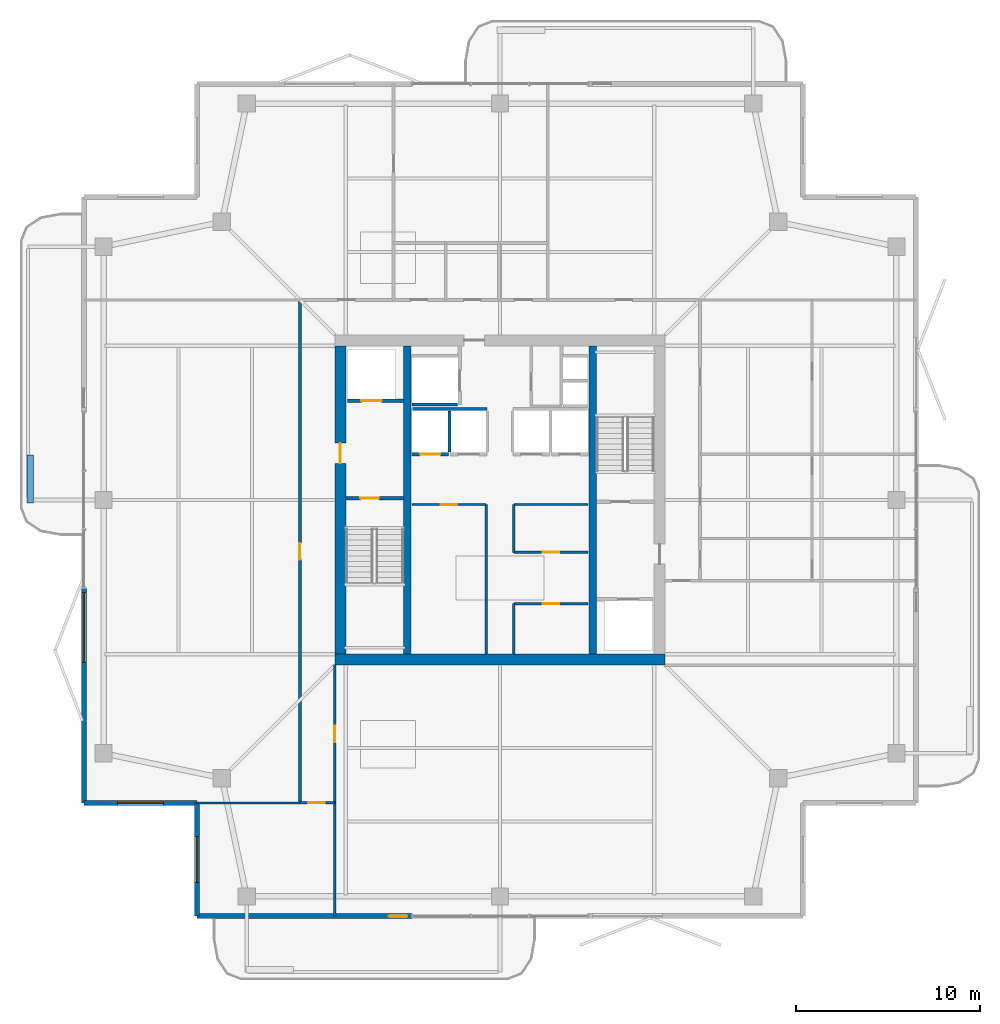
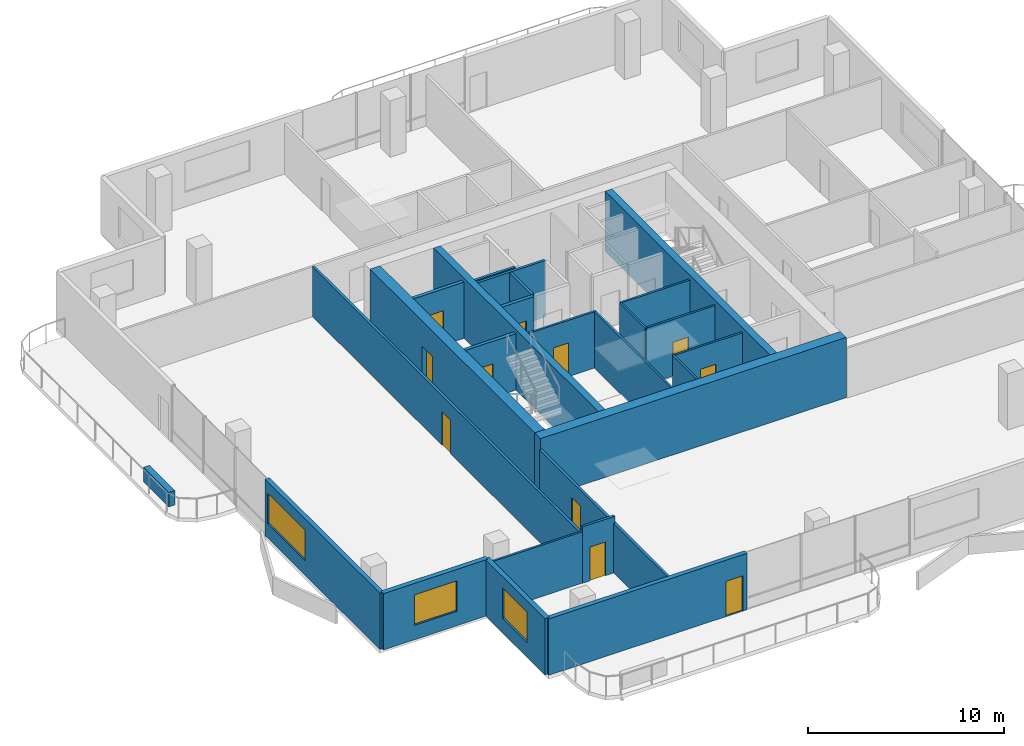
# One storey, part 12 of 17: 26 walls, 11 doors, 3 windows, 14 openings.
"""IFC4 building model written with IfcOpenShell, lengths in metres."""

from ifc_helpers import new_model, si_unit, direction, frame, frame_2d, origin, place, context, subcontext, project, spatial, rectangle, extrude, material, layer, layer_set, type_object, element, fill, save


model = new_model("IFC4")

# Units and contexts
model_context = context("Model", 3, precision=1e-05, world=origin(), true_north=direction((0.0, 1.0)))
body_context = subcontext(model_context, "Body", "Model", "MODEL_VIEW")
ifc_project = project(units=[si_unit("LENGTHUNIT", "METRE"), si_unit("AREAUNIT", "SQUARE_METRE"), si_unit("VOLUMEUNIT", "CUBIC_METRE"), si_unit("PLANEANGLEUNIT", "RADIAN"), si_unit("MASSUNIT", "GRAM", prefix="KILO")], contexts=[model_context])

# Site, building, storey
site_placement = place(None, origin())
site = spatial("IfcSite", under=ifc_project, at=site_placement, CompositionType="ELEMENT")
building_placement = place(site_placement, origin())
building = spatial("IfcBuilding", under=site, at=building_placement, Name="Belovzor Exchange Tower", CompositionType="ELEMENT")
storey_placement = place(building_placement, frame((0.0, 0.0, 303.0)))
storey = spatial("IfcBuildingStorey", under=building, at=storey_placement, Name="L75", CompositionType="ELEMENT", Elevation=303.0)

# Wall
ifc_material_1 = material(Name="Acoustic Plasterboard on Galvanised Studs", Category="gypsum")
ifc_layer_1 = layer(ifc_material_1, 0.1201171875)
ifc_layer_set_1 = layer_set([ifc_layer_1], Name="Acoustic Plasterboard on Galvanised Studs")
wall_type_1 = type_object("IfcWallType", Name="Acoustic Double-Stud Partition Wall 120", PredefinedType="PARTITIONING", material=ifc_layer_set_1)
wall_1_placement = place(storey_placement, frame((12.300048828125, 12.300048828125, 0.0), z_axis=(0.0, 0.0, 1.0), x_axis=(1.0, 0.0, 0.0)))
element("IfcWall", 1, at=wall_1_placement, inside=storey, type_object=wall_type_1, Name="W-P120 Partition Wall W-L75-SWS", PredefinedType="PARTITIONING", context=body_context, shape_type="SweptSolid", body=[
    extrude(rectangle(XDim=5.599853515625, YDim=0.1201171875, at=frame_2d((2.7998046875, 0.0))), origin(), (0.0, 0.0, 1.0), 3.195068359375),
])

# Wall, opening, door
ifc_material_2 = material(Name="Fire-Rated Plasterboard on Galvanised Studs", Category="gypsum")
ifc_layer_2 = layer(ifc_material_2, 0.1201171875)
ifc_layer_set_2 = layer_set([ifc_layer_2], Name="Fire-Rated Plasterboard on Galvanised Studs")
wall_type_2 = type_object("IfcWallType", Name="Fire-Rated Double-Stud Partition Wall 120", PredefinedType="PARTITIONING", material=ifc_layer_set_2)
wall_2_placement = place(storey_placement, frame((24.0, 28.550048828125, 0.0), z_axis=(0.0, 0.0, 1.0), x_axis=(1.0, 0.0, 0.0)))
wall_2 = element("IfcWall", 2, at=wall_2_placement, inside=storey, type_object=wall_type_2, Name="W-P120F Partition Wall W-CRWB-L75-N", PredefinedType="PARTITIONING", context=body_context, shape_type="SweptSolid", body=[
    extrude(rectangle(XDim=4.050048828125, YDim=0.1201171875, at=frame_2d((2.02490234375, 0.0))), origin(), (0.0, 0.0, 1.0), 3.510009765625),
])
opening_1_placement = place(wall_2_placement, frame((1.574951171875, 0.0, 0.0)))
opening_1 = element("IfcOpeningElement", 3, at=opening_1_placement, cuts=wall_2, Name="Opening D-FD60-090", PredefinedType="OPENING", context=body_context, shape_type="SweptSolid", body=[
    extrude(rectangle(XDim=0.89990234375, YDim=2.10009765625, at=frame_2d((0.449951171875, 1.050048828125))), frame((0.0, 0.070068359375, 0.0), z_axis=(0.0, -1.0, 0.0), x_axis=(1.0, 0.0, 0.0)), (0.0, 0.0, 1.0), 0.14013671875),
])
ifc_material_3 = material(Name="Acoustic Timber Fire Leaf", Category="wood")
door_type_1 = type_object("IfcDoorType", Name="Core Service & Restroom Fire Door 900x2100", OperationType="NOTDEFINED", PredefinedType="DOOR", material=ifc_material_3)
door_1_placement = place(opening_1_placement, origin())
door_1 = element("IfcDoor", 4, at=door_1_placement, inside=storey, type_object=door_type_1, Name="D-FD60-090 Core Service & Restroom Fire Door 900x2100", OperationType="SINGLE_SWING_LEFT", OverallHeight=2.10009765625, OverallWidth=0.89990234375, PredefinedType="DOOR", context=body_context, shape_type="SweptSolid", body=[
    extrude(rectangle(XDim=0.89990234375, YDim=2.10009765625, at=frame_2d((0.449951171875, 1.050048828125))), frame((0.0, 0.02490234375, 0.0), z_axis=(0.0, -1.0, 0.0), x_axis=(1.0, 0.0, 0.0)), (0.0, 0.0, 1.0), 0.050048828125),
])
fill(opening_1, door_1)

# Wall
wall_3_placement = place(storey_placement, frame((28.050048828125, 20.39990234375, 0.0), z_axis=(0.0, 0.0, 1.0), x_axis=(0.0, 1.0, 0.0)))
element("IfcWall", 5, at=wall_3_placement, inside=storey, type_object=wall_type_2, Name="W-P120F Partition Wall W-CRWB-L75-E", PredefinedType="PARTITIONING", context=body_context, shape_type="SweptSolid", body=[
    extrude(rectangle(XDim=8.150146484375, YDim=0.1201171875, at=frame_2d((4.0751953125, 0.0))), origin(), (0.0, 0.0, 1.0), 3.510009765625),
])

# Wall, opening, door
wall_4_placement = place(storey_placement, frame((29.550048828125, 23.14990234375, 0.0), z_axis=(0.0, 0.0, 1.0), x_axis=(1.0, 0.0, 0.0)))
wall_4 = element("IfcWall", 6, at=wall_4_placement, inside=storey, type_object=wall_type_2, Name="W-P120F Partition Wall W-CRL-L75-EN", PredefinedType="PARTITIONING", context=body_context, shape_type="SweptSolid", body=[
    extrude(rectangle(XDim=4.050048828125, YDim=0.1201171875, at=frame_2d((2.02490234375, 0.0))), origin(), (0.0, 0.0, 1.0), 3.510009765625),
])
opening_2_placement = place(wall_4_placement, frame((1.574951171875, 0.0, 0.0)))
opening_2 = element("IfcOpeningElement", 7, at=opening_2_placement, cuts=wall_4, Name="Opening D-FD60-090", PredefinedType="OPENING", context=body_context, shape_type="SweptSolid", body=[
    extrude(rectangle(XDim=0.89990234375, YDim=2.10009765625, at=frame_2d((0.449951171875, 1.050048828125))), frame((0.0, 0.070068359375, 0.0), z_axis=(0.0, -1.0, 0.0), x_axis=(1.0, 0.0, 0.0)), (0.0, 0.0, 1.0), 0.14013671875),
])
door_2_placement = place(opening_2_placement, origin())
door_2 = element("IfcDoor", 8, at=door_2_placement, inside=storey, type_object=door_type_1, Name="D-FD60-090 Core Service & Restroom Fire Door 900x2100", OperationType="SINGLE_SWING_RIGHT", OverallHeight=2.10009765625, OverallWidth=0.89990234375, PredefinedType="DOOR", context=body_context, shape_type="SweptSolid", body=[
    extrude(rectangle(XDim=0.89990234375, YDim=2.10009765625, at=frame_2d((0.449951171875, 1.050048828125))), frame((0.0, 0.02490234375, 0.0), z_axis=(0.0, -1.0, 0.0), x_axis=(1.0, 0.0, 0.0)), (0.0, 0.0, 1.0), 0.050048828125),
])
fill(opening_2, door_2)

# Wall
wall_5_placement = place(storey_placement, frame((29.550048828125, 20.39990234375, 0.0), z_axis=(0.0, 0.0, 1.0), x_axis=(0.0, 1.0, 0.0)))
element("IfcWall", 9, at=wall_5_placement, inside=storey, type_object=wall_type_2, Name="W-P120F Partition Wall W-CRL-L75-EW", PredefinedType="PARTITIONING", context=body_context, shape_type="SweptSolid", body=[
    extrude(rectangle(XDim=2.75, YDim=0.1201171875, at=frame_2d((1.375, 0.0))), origin(), (0.0, 0.0, 1.0), 3.510009765625),
])

# Wall, opening, door
wall_6_placement = place(storey_placement, frame((29.550048828125, 25.949951171875, 0.0), z_axis=(0.0, 0.0, 1.0), x_axis=(1.0, 0.0, 0.0)))
wall_6 = element("IfcWall", 10, at=wall_6_placement, inside=storey, type_object=wall_type_2, Name="W-P120F Partition Wall W-CRM-L75-ES", PredefinedType="PARTITIONING", context=body_context, shape_type="SweptSolid", body=[
    extrude(rectangle(XDim=4.050048828125, YDim=0.1201171875, at=frame_2d((2.02490234375, 0.0))), origin(), (0.0, 0.0, 1.0), 3.510009765625),
])
opening_3_placement = place(wall_6_placement, frame((1.574951171875, 0.0, 0.0)))
opening_3 = element("IfcOpeningElement", 11, at=opening_3_placement, cuts=wall_6, Name="Opening D-FD60-090", PredefinedType="OPENING", context=body_context, shape_type="SweptSolid", body=[
    extrude(rectangle(XDim=0.89990234375, YDim=2.10009765625, at=frame_2d((0.449951171875, 1.050048828125))), frame((0.0, 0.070068359375, 0.0), z_axis=(0.0, -1.0, 0.0), x_axis=(1.0, 0.0, 0.0)), (0.0, 0.0, 1.0), 0.14013671875),
])
door_3_placement = place(opening_3_placement, origin())
door_3 = element("IfcDoor", 12, at=door_3_placement, inside=storey, type_object=door_type_1, Name="D-FD60-090 Core Service & Restroom Fire Door 900x2100", OperationType="SINGLE_SWING_RIGHT", OverallHeight=2.10009765625, OverallWidth=0.89990234375, PredefinedType="DOOR", context=body_context, shape_type="SweptSolid", body=[
    extrude(rectangle(XDim=0.89990234375, YDim=2.10009765625, at=frame_2d((0.449951171875, 1.050048828125))), frame((0.0, 0.02490234375, 0.0), z_axis=(0.0, -1.0, 0.0), x_axis=(1.0, 0.0, 0.0)), (0.0, 0.0, 1.0), 0.050048828125),
])
fill(opening_3, door_3)

# Walls
wall_7_placement = place(storey_placement, frame((29.550048828125, 28.550048828125, 0.0), z_axis=(0.0, 0.0, 1.0), x_axis=(1.0, 0.0, 0.0)))
element("IfcWall", 13, at=wall_7_placement, inside=storey, type_object=wall_type_2, Name="W-P120F Partition Wall W-CRM-L75-EN", PredefinedType="PARTITIONING", context=body_context, shape_type="SweptSolid", body=[
    extrude(rectangle(XDim=4.050048828125, YDim=0.1201171875, at=frame_2d((2.02490234375, 0.0))), origin(), (0.0, 0.0, 1.0), 3.510009765625),
])
wall_8_placement = place(storey_placement, frame((29.550048828125, 25.949951171875, 0.0), z_axis=(0.0, 0.0, 1.0), x_axis=(0.0, 1.0, 0.0)))
element("IfcWall", 14, at=wall_8_placement, inside=storey, type_object=wall_type_2, Name="W-P120F Partition Wall W-CRM-L75-EW", PredefinedType="PARTITIONING", context=body_context, shape_type="SweptSolid", body=[
    extrude(rectangle(XDim=2.60009765625, YDim=0.1201171875, at=frame_2d((1.300048828125, 0.0))), origin(), (0.0, 0.0, 1.0), 3.510009765625),
])

# Wall, opening, door
ifc_material_4 = material(Name="Fire-Rated Gypsum Block and Mineral Wool", Category="gypsum")
ifc_layer_3 = layer(ifc_material_4, 0.14990234375)
ifc_layer_set_3 = layer_set([ifc_layer_3], Name="Fire-Rated Gypsum Block and Mineral Wool")
wall_type_3 = type_object("IfcWallType", Name="Fire-Rated Gypsum Block Corridor Wall 150", PredefinedType="PARTITIONING", material=ifc_layer_set_3)
wall_9_placement = place(storey_placement, frame((17.89990234375, 12.300048828125, 0.0), z_axis=(0.0, 0.0, 1.0), x_axis=(1.0, 0.0, 0.0)))
wall_9 = element("IfcWall", 15, at=wall_9_placement, inside=storey, type_object=wall_type_3, Name="W-P150 Partition Wall W-L75-CW-END", PredefinedType="PARTITIONING", context=body_context, shape_type="SweptSolid", body=[
    extrude(rectangle(XDim=1.900146484375, YDim=0.14990234375, at=frame_2d((0.9501953125, 0.0))), origin(), (0.0, 0.0, 1.0), 3.510009765625),
])
opening_4_placement = place(wall_9_placement, frame((0.449951171875, 0.0, 0.0)))
opening_4 = element("IfcOpeningElement", 16, at=opening_4_placement, cuts=wall_9, Name="Opening D-FD60-090", PredefinedType="OPENING", context=body_context, shape_type="SweptSolid", body=[
    extrude(rectangle(XDim=0.89990234375, YDim=2.10009765625, at=frame_2d((0.449951171875, 1.050048828125))), frame((0.0, 0.0849609375, 0.0), z_axis=(0.0, -1.0, 0.0), x_axis=(1.0, 0.0, 0.0)), (0.0, 0.0, 1.0), 0.169921875),
])
door_4_placement = place(opening_4_placement, origin())
door_4 = element("IfcDoor", 17, at=door_4_placement, inside=storey, type_object=door_type_1, Name="D-FD60-090 Core Service & Restroom Fire Door 900x2100", OperationType="SINGLE_SWING_LEFT", OverallHeight=2.10009765625, OverallWidth=0.89990234375, PredefinedType="DOOR", context=body_context, shape_type="SweptSolid", body=[
    extrude(rectangle(XDim=0.89990234375, YDim=2.10009765625, at=frame_2d((0.449951171875, 1.050048828125))), frame((0.0, 0.02490234375, 0.0), z_axis=(0.0, -1.0, 0.0), x_axis=(1.0, 0.0, 0.0)), (0.0, 0.0, 1.0), 0.050048828125),
])
fill(opening_4, door_4)

wall_10_placement = place(storey_placement, frame((19.800048828125, 6.1298828125, 0.0), z_axis=(0.0, 0.0, 1.0), x_axis=(0.0, 1.0, 0.0)))
wall_10 = element("IfcWall", 18, at=wall_10_placement, inside=storey, type_object=wall_type_3, Name="W-P150 Partition Wall W-L75-CW-E", PredefinedType="PARTITIONING", context=body_context, shape_type="SweptSolid", body=[
    extrude(rectangle(XDim=13.670166015625, YDim=0.14990234375, at=frame_2d((6.8349609375, 0.0))), origin(), (0.0, 0.0, 1.0), 3.094970703125),
])
opening_5_placement = place(wall_10_placement, frame((9.469970703125, 0.0, 0.0)))
opening_5 = element("IfcOpeningElement", 19, at=opening_5_placement, cuts=wall_10, Name="Opening D-FD60-090", PredefinedType="OPENING", context=body_context, shape_type="SweptSolid", body=[
    extrude(rectangle(XDim=0.89990234375, YDim=2.10009765625, at=frame_2d((0.449951171875, 1.050048828125))), frame((0.0, 0.0849609375, 0.0), z_axis=(0.0, -1.0, 0.0), x_axis=(1.0, 0.0, 0.0)), (0.0, 0.0, 1.0), 0.169921875),
])
door_5_placement = place(opening_5_placement, origin())
door_5 = element("IfcDoor", 20, at=door_5_placement, inside=storey, type_object=door_type_1, Name="D-FD60-090 Core Service & Restroom Fire Door 900x2100", OperationType="SINGLE_SWING_RIGHT", OverallHeight=2.10009765625, OverallWidth=0.89990234375, PredefinedType="DOOR", context=body_context, shape_type="SweptSolid", body=[
    extrude(rectangle(XDim=0.89990234375, YDim=2.10009765625, at=frame_2d((0.449951171875, 1.050048828125))), frame((0.0, 0.02490234375, 0.0), z_axis=(0.0, -1.0, 0.0), x_axis=(1.0, 0.0, 0.0)), (0.0, 0.0, 1.0), 0.050048828125),
])
fill(opening_5, door_5)

wall_11_placement = place(storey_placement, frame((17.89990234375, 12.300048828125, 0.0), z_axis=(0.0, 0.0, 1.0), x_axis=(0.0, 1.0, 0.0)))
wall_11 = element("IfcWall", 21, at=wall_11_placement, inside=storey, type_object=wall_type_3, Name="W-P150 Partition Wall W-L75-CW", PredefinedType="PARTITIONING", context=body_context, shape_type="SweptSolid", body=[
    extrude(rectangle(XDim=27.39990234375, YDim=0.14990234375, at=frame_2d((13.699951171875, 0.0))), origin(), (0.0, 0.0, 1.0), 3.094970703125),
])
opening_6_placement = place(wall_11_placement, frame((13.25, 0.0, 0.0)))
opening_6 = element("IfcOpeningElement", 22, at=opening_6_placement, cuts=wall_11, Name="Opening D-INT-090", PredefinedType="OPENING", context=body_context, shape_type="SweptSolid", body=[
    extrude(rectangle(XDim=0.89990234375, YDim=2.10009765625, at=frame_2d((0.449951171875, 1.050048828125))), frame((0.0, 0.0849609375, 0.0), z_axis=(0.0, -1.0, 0.0), x_axis=(1.0, 0.0, 0.0)), (0.0, 0.0, 1.0), 0.169921875),
])
ifc_material_5 = material(Name="Veneered Hardwood Acoustic Leaf", Category="wood")
door_type_2 = type_object("IfcDoorType", Name="Trading Suite Acoustic Single Door 900x2100", OperationType="NOTDEFINED", PredefinedType="DOOR", material=ifc_material_5)
door_6_placement = place(opening_6_placement, origin())
door_6 = element("IfcDoor", 23, at=door_6_placement, inside=storey, type_object=door_type_2, Name="D-INT-090 Trading Suite Acoustic Single Door 900x2100", OperationType="SINGLE_SWING_RIGHT", OverallHeight=2.10009765625, OverallWidth=0.89990234375, PredefinedType="DOOR", context=body_context, shape_type="SweptSolid", body=[
    extrude(rectangle(XDim=0.89990234375, YDim=2.10009765625, at=frame_2d((0.449951171875, 1.050048828125))), frame((0.0, 0.02490234375, 0.0), z_axis=(0.0, -1.0, 0.0), x_axis=(1.0, 0.0, 0.0)), (0.0, 0.0, 1.0), 0.050048828125),
])
fill(opening_6, door_6)

# Wall, opening, window
ifc_material_6 = material(Name="Precast concrete C40/50", Category="concrete")
ifc_layer_4 = layer(ifc_material_6, 0.280029296875)
ifc_layer_set_4 = layer_set([ifc_layer_4], Name="Precast concrete C40/50")
wall_type_4 = type_object("IfcWallType", Name="Precast Concrete Notched Corner Frame Wall 280", PredefinedType="SOLIDWALL", material=ifc_layer_set_4)
wall_12_placement = place(storey_placement, frame((12.300048828125, 6.1298828125, 0.0), z_axis=(0.0, 0.0, 1.0), x_axis=(0.0, 1.0, 0.0)))
wall_12 = element("IfcWall", 24, at=wall_12_placement, inside=storey, type_object=wall_type_4, Name="W-CRN280 Precast Concrete Notched Corner Frame Wall 280 L75", PredefinedType="SOLIDWALL", context=body_context, shape_type="SweptSolid", body=[
    extrude(rectangle(XDim=6.170166015625, YDim=0.280029296875, at=frame_2d((3.0849609375, 0.0))), origin(), (0.0, 0.0, 1.0), 3.510009765625),
])
opening_7_placement = place(wall_12_placement, frame((1.8349609375, 0.0, 0.89990234375)))
opening_7 = element("IfcOpeningElement", 25, at=opening_7_placement, cuts=wall_12, Name="Opening WN-CRN250", PredefinedType="OPENING", context=body_context, shape_type="SweptSolid", body=[
    extrude(rectangle(XDim=2.5, YDim=1.89990234375, at=frame_2d((1.25, 0.949951171875))), frame((0.0, 0.14990234375, 0.0), z_axis=(0.0, -1.0, 0.0), x_axis=(1.0, 0.0, 0.0)), (0.0, 0.0, 1.0), 0.300048828125),
])
ifc_material_7 = material(Name="Thermally Broken Aluminium and Triple Glazing", Category="aluminium")
window_type_1 = type_object("IfcWindowType", Name="Streamline Moderne Corner Wrap Ribbon Window 2500x1900", PartitioningType="SINGLE_PANEL", PredefinedType="WINDOW", material=ifc_material_7)
window_1_placement = place(opening_7_placement, origin())
window_1 = element("IfcWindow", 26, at=window_1_placement, inside=storey, type_object=window_type_1, Name="WN-CRN250 Streamline Moderne Corner Wrap Ribbon Window 2500x1900", OverallHeight=1.89990234375, OverallWidth=2.5, PartitioningType="SINGLE_PANEL", PredefinedType="WINDOW", context=body_context, shape_type="SweptSolid", body=[
    extrude(rectangle(XDim=2.5, YDim=1.89990234375, at=frame_2d((1.25, 0.949951171875))), frame((0.0, 0.030029296875, 0.0), z_axis=(0.0, -1.0, 0.0), x_axis=(1.0, 0.0, 0.0)), (0.0, 0.0, 1.0), 0.06005859375),
])
fill(opening_7, window_1)

wall_13_placement = place(storey_placement, frame((12.300048828125, 12.300048828125, 0.0), z_axis=(0.0, 0.0, 1.0), x_axis=(-1.0, 0.0, 0.0)))
wall_13 = element("IfcWall", 27, at=wall_13_placement, inside=storey, type_object=wall_type_4, Name="W-CRN280 Precast Concrete Notched Corner Frame Wall 280 L75", PredefinedType="SOLIDWALL", context=body_context, shape_type="SweptSolid", body=[
    extrude(rectangle(XDim=6.170166015625, YDim=0.280029296875, at=frame_2d((3.0849609375, 0.0))), origin(), (0.0, 0.0, 1.0), 3.510009765625),
])
opening_8_placement = place(wall_13_placement, frame((1.8349609375, 0.0, 0.89990234375)))
opening_8 = element("IfcOpeningElement", 28, at=opening_8_placement, cuts=wall_13, Name="Opening WN-CRN250", PredefinedType="OPENING", context=body_context, shape_type="SweptSolid", body=[
    extrude(rectangle(XDim=2.5, YDim=1.89990234375, at=frame_2d((1.25, 0.949951171875))), frame((0.0, 0.14990234375, 0.0), z_axis=(0.0, -1.0, 0.0), x_axis=(1.0, 0.0, 0.0)), (0.0, 0.0, 1.0), 0.300048828125),
])
window_2_placement = place(opening_8_placement, origin())
window_2 = element("IfcWindow", 29, at=window_2_placement, inside=storey, type_object=window_type_1, Name="WN-CRN250 Streamline Moderne Corner Wrap Ribbon Window 2500x1900", OverallHeight=1.89990234375, OverallWidth=2.5, PartitioningType="SINGLE_PANEL", PredefinedType="WINDOW", context=body_context, shape_type="SweptSolid", body=[
    extrude(rectangle(XDim=2.5, YDim=1.89990234375, at=frame_2d((1.25, 0.949951171875))), frame((0.0, 0.030029296875, 0.0), z_axis=(0.0, -1.0, 0.0), x_axis=(1.0, 0.0, 0.0)), (0.0, 0.0, 1.0), 0.06005859375),
])
fill(opening_8, window_2)

# Wall, opening, door
ifc_material_8 = material(Name="Precast concrete C40/50", Category="concrete")
ifc_layer_5 = layer(ifc_material_8, 0.260009765625)
ifc_layer_set_5 = layer_set([ifc_layer_5], Name="Precast concrete C40/50")
wall_type_5 = type_object("IfcWallType", Name="Precast Concrete Perimeter Loggia Frame Wall 260", PredefinedType="SOLIDWALL", material=ifc_layer_set_5)
wall_14_placement = place(storey_placement, frame((24.0, 6.1298828125, 0.0), z_axis=(0.0, 0.0, 1.0), x_axis=(-1.0, 0.0, 0.0)))
wall_14 = element("IfcWall", 30, at=wall_14_placement, inside=storey, type_object=wall_type_5, Name="W-EXT260 Precast Concrete Perimeter Loggia Frame Wall 260 L75", PredefinedType="SOLIDWALL", context=body_context, shape_type="SweptSolid", body=[
    extrude(rectangle(XDim=11.699951171875, YDim=0.260009765625, at=frame_2d((5.85009765625, 0.0))), origin(), (0.0, 0.0, 1.0), 3.510009765625),
])
opening_9_placement = place(wall_14_placement, frame((0.25, 0.0, 0.0)))
opening_9 = element("IfcOpeningElement", 31, at=opening_9_placement, cuts=wall_14, Name="Opening D-BAL100", PredefinedType="OPENING", context=body_context, shape_type="SweptSolid", body=[
    extrude(rectangle(XDim=1.0, YDim=2.199951171875, at=frame_2d((0.5, 1.10009765625))), frame((0.0, 0.139892578125, 0.0), z_axis=(0.0, -1.0, 0.0), x_axis=(1.0, 0.0, 0.0)), (0.0, 0.0, 1.0), 0.280029296875),
])
ifc_material_9 = material(Name="Thermally Broken Anodised Aluminium and Laminated Glass", Category="aluminium")
door_type_3 = type_object("IfcDoorType", Name="Planted Loggia Terrace Glazed Door 1000x2200", OperationType="SINGLE_SWING_LEFT", PredefinedType="DOOR", material=ifc_material_9)
door_7_placement = place(opening_9_placement, origin())
door_7 = element("IfcDoor", 32, at=door_7_placement, inside=storey, type_object=door_type_3, Name="D-BAL100 Balcony Terrace Door L75 S", OperationType="SINGLE_SWING_LEFT", OverallHeight=2.199951171875, OverallWidth=1.0, PredefinedType="DOOR", context=body_context, shape_type="SweptSolid", body=[
    extrude(rectangle(XDim=1.0, YDim=2.199951171875, at=frame_2d((0.5, 1.10009765625))), frame((0.0, 0.02490234375, 0.0), z_axis=(0.0, -1.0, 0.0), x_axis=(1.0, 0.0, 0.0)), (0.0, 0.0, 1.0), 0.050048828125),
])
fill(opening_9, door_7)

# Wall, opening, window
wall_15_placement = place(storey_placement, frame((6.1298828125, 12.300048828125, 0.0), z_axis=(0.0, 0.0, 1.0), x_axis=(0.0, 1.0, 0.0)))
wall_15 = element("IfcWall", 33, at=wall_15_placement, inside=storey, type_object=wall_type_5, Name="W-EXT260 Precast Concrete Perimeter Loggia Frame Wall 260 L75", PredefinedType="SOLIDWALL", context=body_context, shape_type="SweptSolid", body=[
    extrude(rectangle(XDim=11.699951171875, YDim=0.260009765625, at=frame_2d((5.85009765625, 0.0))), origin(), (0.0, 0.0, 1.0), 3.510009765625),
])
opening_10_placement = place(wall_15_placement, frame((7.64990234375, 0.0, 0.89990234375)))
opening_10 = element("IfcOpeningElement", 34, at=opening_10_placement, cuts=wall_15, Name="Opening WN-RIB380", PredefinedType="OPENING", context=body_context, shape_type="SweptSolid", body=[
    extrude(rectangle(XDim=3.800048828125, YDim=1.89990234375, at=frame_2d((1.89990234375, 0.949951171875))), frame((0.0, 0.139892578125, 0.0), z_axis=(0.0, -1.0, 0.0), x_axis=(1.0, 0.0, 0.0)), (0.0, 0.0, 1.0), 0.280029296875),
])
ifc_material_10 = material(Name="Thermally Broken Aluminium and Triple Glazing", Category="aluminium")
window_type_2 = type_object("IfcWindowType", Name="Streamline Moderne Horizontal Ribbon Window 3800x1900", PartitioningType="SINGLE_PANEL", PredefinedType="WINDOW", material=ifc_material_10)
window_3_placement = place(opening_10_placement, origin())
window_3 = element("IfcWindow", 35, at=window_3_placement, inside=storey, type_object=window_type_2, Name="WN-RIB380 Streamline Moderne Horizontal Ribbon Window 3800x1900", OverallHeight=1.89990234375, OverallWidth=3.800048828125, PartitioningType="SINGLE_PANEL", PredefinedType="WINDOW", context=body_context, shape_type="SweptSolid", body=[
    extrude(rectangle(XDim=3.800048828125, YDim=1.89990234375, at=frame_2d((1.89990234375, 0.949951171875))), frame((0.0, 0.030029296875, 0.0), z_axis=(0.0, -1.0, 0.0), x_axis=(1.0, 0.0, 0.0)), (0.0, 0.0, 1.0), 0.06005859375),
])
fill(opening_10, window_3)

# Walls
ifc_material_11 = material(Name="Precast concrete C40/50", Category="concrete")
ifc_layer_6 = layer(ifc_material_11, 0.35009765625)
ifc_layer_set_6 = layer_set([ifc_layer_6], Name="Precast concrete C40/50")
wall_type_6 = type_object("IfcWallType", Name="Precast Concrete Structural Tree Planter Trough 350", PredefinedType="PARAPET", material=ifc_layer_set_6)
wall_16_placement = place(storey_placement, frame((3.199951171875, 28.64990234375, 0.0), z_axis=(0.0, 0.0, 1.0), x_axis=(0.0, 1.0, 0.0)))
element("IfcWall", 36, at=wall_16_placement, inside=storey, type_object=wall_type_6, Name="PT-350 Precast Concrete Structural Tree Planter Trough 350 L75", PredefinedType="PARAPET", context=body_context, shape_type="SweptSolid", body=[
    extrude(rectangle(XDim=2.60009765625, YDim=0.35009765625, at=frame_2d((1.300048828125, 0.0))), origin(), (0.0, 0.0, 1.0), 0.89990234375),
])
ifc_material_12 = material(Name="Concrete C50/60", Category="concrete")
ifc_layer_7 = layer(ifc_material_12, 0.39990234375)
ifc_layer_set_7 = layer_set([ifc_layer_7], Name="Concrete C50/60")
wall_type_7 = type_object("IfcWallType", Name="Reinforced Concrete Core Internal Web Wall 400", PredefinedType="SHEAR", material=ifc_layer_set_7)
for number, where, z_axis, x_axis, name in (
    (37, (23.75, 20.39990234375, 0.0), (0.0, 0.0, 1.0), (0.0, 1.0, 0.0), "CW-W040 Core Internal Web Wall L75 WL"),
    (38, (33.85009765625, 20.39990234375, 0.0), (0.0, 0.0, 1.0), (0.0, 1.0, 0.0), "CW-W040 Core Internal Web Wall L75 ER"),
):
    element("IfcWall", number, at=place(storey_placement, frame(where, z_axis=z_axis, x_axis=x_axis)), inside=storey, type_object=wall_type_7, Name=name, PredefinedType="SHEAR", context=body_context, shape_type="SweptSolid", body=[
        extrude(rectangle(XDim=16.800048828125, YDim=0.39990234375, at=frame_2d((8.39990234375, 0.0))), origin(), (0.0, 0.0, 1.0), 3.75),
    ])
ifc_material_13 = material(Name="Concrete C50/60", Category="concrete")
ifc_layer_8 = layer(ifc_material_13, 0.14990234375)
ifc_layer_set_8 = layer_set([ifc_layer_8], Name="Concrete C50/60")
wall_type_8 = type_object("IfcWallType", Name="Reinforced Concrete Core Riser Shear Wall 150", PredefinedType="SHEAR", material=ifc_layer_set_8)
wall_17_placement = place(storey_placement, frame((24.0, 34.0, 0.0), z_axis=(0.0, 0.0, 1.0), x_axis=(1.0, 0.0, 0.0)))
element("IfcWall", 39, at=wall_17_placement, inside=storey, type_object=wall_type_8, Name="W-C150S Core Shaft Wall W-SH-L75-SL-01S", PredefinedType="SHEAR", context=body_context, shape_type="SweptSolid", body=[
    extrude(rectangle(XDim=2.47998046875, YDim=0.14990234375, at=frame_2d((1.239990234375, 0.0))), origin(), (0.0, 0.0, 1.0), 3.510009765625),
])
wall_18_placement = place(storey_placement, frame((24.02001953125, 33.760009765625, 0.0), z_axis=(0.0, 0.0, 1.0), x_axis=(1.0, 0.0, 0.0)))
element("IfcWall", 40, at=wall_18_placement, inside=storey, type_object=wall_type_8, Name="W-C150S Core Shaft Wall W-SHB-L75-PLH-NW", PredefinedType="SHEAR", context=body_context, shape_type="SweptSolid", body=[
    extrude(rectangle(XDim=4.080078125, YDim=0.14990234375, at=frame_2d((2.0400390625, 0.0))), origin(), (0.0, 0.0, 1.0), 3.510009765625),
])
wall_19_placement = place(storey_placement, frame((26.050048828125, 31.419921875, 0.0), z_axis=(0.0, 0.0, 1.0), x_axis=(0.0, 1.0, 0.0)))
element("IfcWall", 41, at=wall_19_placement, inside=storey, type_object=wall_type_8, Name="W-C150S Core Shaft Wall W-SHD-L75-PLH-1", PredefinedType="SHEAR", context=body_context, shape_type="SweptSolid", body=[
    extrude(rectangle(XDim=2.239990234375, YDim=0.14990234375, at=frame_2d((1.1201171875, 0.0))), origin(), (0.0, 0.0, 1.0), 3.510009765625),
])

# Wall, opening, door
ifc_material_14 = material(Name="Concrete C50/60", Category="concrete")
ifc_layer_9 = layer(ifc_material_14, 0.199951171875)
ifc_layer_set_9 = layer_set([ifc_layer_9], Name="Concrete C50/60")
wall_type_9 = type_object("IfcWallType", Name="Reinforced Concrete Core Shaft Shear Wall 200", PredefinedType="SHEAR", material=ifc_layer_set_9)
wall_20_placement = place(storey_placement, frame((20.39990234375, 28.89990234375, 0.0), z_axis=(0.0, 0.0, 1.0), x_axis=(1.0, 0.0, 0.0)))
wall_20 = element("IfcWall", 42, at=wall_20_placement, inside=storey, type_object=wall_type_9, Name="W-C200S Core Shaft Wall W-CORE-L75-FFLW1", PredefinedType="SHEAR", context=body_context, shape_type="SweptSolid", body=[
    extrude(rectangle(XDim=3.150146484375, YDim=0.199951171875, at=frame_2d((1.5751953125, 0.0))), origin(), (0.0, 0.0, 1.0), 3.510009765625),
])
opening_11_placement = place(wall_20_placement, frame((0.800048828125, 0.0, 0.0)))
opening_11 = element("IfcOpeningElement", 43, at=opening_11_placement, cuts=wall_20, Name="Opening D-FD90-100", PredefinedType="OPENING", context=body_context, shape_type="SweptSolid", body=[
    extrude(rectangle(XDim=1.0, YDim=2.10009765625, at=frame_2d((0.5, 1.050048828125))), frame((0.0, 0.10986328125, 0.0), z_axis=(0.0, -1.0, 0.0), x_axis=(1.0, 0.0, 0.0)), (0.0, 0.0, 1.0), 0.219970703125),
])
ifc_material_15 = material(Name="Fire-Rated Galvanised Steel Leaf", Category="steel")
door_type_4 = type_object("IfcDoorType", Name="Protected Stairwell Single Fire Door 1000x2100", OperationType="NOTDEFINED", PredefinedType="DOOR", material=ifc_material_15)
door_8_placement = place(opening_11_placement, origin())
door_8 = element("IfcDoor", 44, at=door_8_placement, inside=storey, type_object=door_type_4, Name="D-FD90-100 Protected Stairwell Single Fire Door 1000x2100", OperationType="SINGLE_SWING_RIGHT", OverallHeight=2.10009765625, OverallWidth=1.0, PredefinedType="DOOR", context=body_context, shape_type="SweptSolid", body=[
    extrude(rectangle(XDim=1.0, YDim=2.10009765625, at=frame_2d((0.5, 1.050048828125))), frame((0.0, 0.02490234375, 0.0), z_axis=(0.0, -1.0, 0.0), x_axis=(1.0, 0.0, 0.0)), (0.0, 0.0, 1.0), 0.050048828125),
])
fill(opening_11, door_8)

wall_21_placement = place(storey_placement, frame((20.5, 34.199951171875, 0.0), z_axis=(0.0, 0.0, 1.0), x_axis=(1.0, 0.0, 0.0)))
wall_21 = element("IfcWall", 45, at=wall_21_placement, inside=storey, type_object=wall_type_9, Name="W-C200S Core Shaft Wall W-SH-L75-FFL-01", PredefinedType="SHEAR", context=body_context, shape_type="SweptSolid", body=[
    extrude(rectangle(XDim=3.050048828125, YDim=0.199951171875, at=frame_2d((1.52490234375, 0.0))), origin(), (0.0, 0.0, 1.0), 3.510009765625),
])
opening_12_placement = place(wall_21_placement, frame((0.75, 0.0, 0.0)))
opening_12 = element("IfcOpeningElement", 46, at=opening_12_placement, cuts=wall_21, Name="Opening LD-110", PredefinedType="OPENING", context=body_context, shape_type="SweptSolid", body=[
    extrude(rectangle(XDim=1.10009765625, YDim=2.14990234375, at=frame_2d((0.550048828125, 1.074951171875))), frame((0.0, 0.10986328125, 0.0), z_axis=(0.0, -1.0, 0.0), x_axis=(1.0, 0.0, 0.0)), (0.0, 0.0, 1.0), 0.219970703125),
])
ifc_material_16 = material(Name="Stainless Steel Grade 304", Category="steel")
door_type_5 = type_object("IfcDoorType", Name="Automated Stainless Steel Lift Landing Door 1100x2150", OperationType="SLIDING_TO_RIGHT", PredefinedType="DOOR", material=ifc_material_16)
door_9_placement = place(opening_12_placement, origin())
door_9 = element("IfcDoor", 47, at=door_9_placement, inside=storey, type_object=door_type_5, Name="LD-110 Automated Stainless Steel Lift Landing Door 1100x2150", OperationType="SLIDING_TO_RIGHT", OverallHeight=2.14990234375, OverallWidth=1.10009765625, PredefinedType="DOOR", context=body_context, shape_type="SweptSolid", body=[
    extrude(rectangle(XDim=1.10009765625, YDim=2.14990234375, at=frame_2d((0.550048828125, 1.074951171875))), frame((0.0, 0.02490234375, 0.0), z_axis=(0.0, -1.0, 0.0), x_axis=(1.0, 0.0, 0.0)), (0.0, 0.0, 1.0), 0.050048828125),
])
fill(opening_12, door_9)

wall_22_placement = place(storey_placement, frame((24.0, 31.300048828125, 0.0), z_axis=(0.0, 0.0, 1.0), x_axis=(1.0, 0.0, 0.0)))
wall_22 = element("IfcWall", 48, at=wall_22_placement, inside=storey, type_object=wall_type_9, Name="W-C200S Core Shaft Wall W-SH-L75-PL-H1", PredefinedType="SHEAR", context=body_context, shape_type="SweptSolid", body=[
    extrude(rectangle(XDim=2.0, YDim=0.199951171875, at=frame_2d((1.0, 0.0))), origin(), (0.0, 0.0, 1.0), 3.510009765625),
])
opening_13_placement = place(wall_22_placement, frame((0.449951171875, 0.0, 0.0)))
opening_13 = element("IfcOpeningElement", 49, at=opening_13_placement, cuts=wall_22, Name="Opening LD-110", PredefinedType="OPENING", context=body_context, shape_type="SweptSolid", body=[
    extrude(rectangle(XDim=1.10009765625, YDim=2.14990234375, at=frame_2d((0.550048828125, 1.074951171875))), frame((0.0, 0.10986328125, 0.0), z_axis=(0.0, -1.0, 0.0), x_axis=(1.0, 0.0, 0.0)), (0.0, 0.0, 1.0), 0.219970703125),
])
door_10_placement = place(opening_13_placement, origin())
door_10 = element("IfcDoor", 50, at=door_10_placement, inside=storey, type_object=door_type_5, Name="LD-110 Automated Stainless Steel Lift Landing Door 1100x2150", OperationType="SLIDING_TO_RIGHT", OverallHeight=2.14990234375, OverallWidth=1.10009765625, PredefinedType="DOOR", context=body_context, shape_type="SweptSolid", body=[
    extrude(rectangle(XDim=1.10009765625, YDim=2.14990234375, at=frame_2d((0.550048828125, 1.074951171875))), frame((0.0, 0.02490234375, 0.0), z_axis=(0.0, -1.0, 0.0), x_axis=(1.0, 0.0, 0.0)), (0.0, 0.0, 1.0), 0.050048828125),
])
fill(opening_13, door_10)

# Wall
ifc_material_17 = material(Name="Concrete C50/60", Category="concrete")
ifc_layer_10 = layer(ifc_material_17, 0.60009765625)
ifc_layer_set_10 = layer_set([ifc_layer_10], Name="Concrete C50/60")
wall_type_10 = type_object("IfcWallType", Name="Reinforced Concrete Core Shear Wall 600", PredefinedType="SHEAR", material=ifc_layer_set_10)
wall_23_placement = place(storey_placement, frame((19.800048828125, 20.10009765625, 0.0), z_axis=(0.0, 0.0, 1.0), x_axis=(1.0, 0.0, 0.0)))
element("IfcWall", 51, at=wall_23_placement, inside=storey, type_object=wall_type_10, Name="CW-S060 Core Shear Wall L75 S", PredefinedType="SHEAR", context=body_context, shape_type="SweptSolid", body=[
    extrude(rectangle(XDim=18.0, YDim=0.60009765625, at=frame_2d((9.0, 0.0))), origin(), (0.0, 0.0, 1.0), 3.75),
])

# Wall, opening, door
wall_24_placement = place(storey_placement, frame((20.10009765625, 20.39990234375, 0.0), z_axis=(0.0, 0.0, 1.0), x_axis=(0.0, 1.0, 0.0)))
wall_24 = element("IfcWall", 52, at=wall_24_placement, inside=storey, type_object=wall_type_10, Name="CW-S060 Core Shear Wall L75 W", PredefinedType="SHEAR", context=body_context, shape_type="SweptSolid", body=[
    extrude(rectangle(XDim=16.800048828125, YDim=0.60009765625, at=frame_2d((8.39990234375, 0.0))), origin(), (0.0, 0.0, 1.0), 3.75),
])
opening_14_placement = place(wall_24_placement, frame((10.39990234375, 0.0, 0.0)))
opening_14 = element("IfcOpeningElement", 53, at=opening_14_placement, cuts=wall_24, Name="Opening D-FD90-110", PredefinedType="OPENING", context=body_context, shape_type="SweptSolid", body=[
    extrude(rectangle(XDim=1.10009765625, YDim=2.14990234375, at=frame_2d((0.550048828125, 1.074951171875))), frame((0.0, 0.31005859375, 0.0), z_axis=(0.0, -1.0, 0.0), x_axis=(1.0, 0.0, 0.0)), (0.0, 0.0, 1.0), 0.6201171875),
])
ifc_material_18 = material(Name="Fire-Rated Galvanised Steel Leaf", Category="steel")
door_type_6 = type_object("IfcDoorType", Name="Protected Escape Vestibule Fire Door 1100x2150", OperationType="NOTDEFINED", PredefinedType="DOOR", material=ifc_material_18)
door_11_placement = place(opening_14_placement, origin())
door_11 = element("IfcDoor", 54, at=door_11_placement, inside=storey, type_object=door_type_6, Name="D-FD90-110 Protected Escape Vestibule Fire Door 1100x2150", OperationType="SINGLE_SWING_LEFT", OverallHeight=2.14990234375, OverallWidth=1.10009765625, PredefinedType="DOOR", context=body_context, shape_type="SweptSolid", body=[
    extrude(rectangle(XDim=1.10009765625, YDim=2.14990234375, at=frame_2d((0.550048828125, 1.074951171875))), frame((0.0, 0.02490234375, 0.0), z_axis=(0.0, -1.0, 0.0), x_axis=(1.0, 0.0, 0.0)), (0.0, 0.0, 1.0), 0.050048828125),
])
fill(opening_14, door_11)

save(model, "model.ifc")
